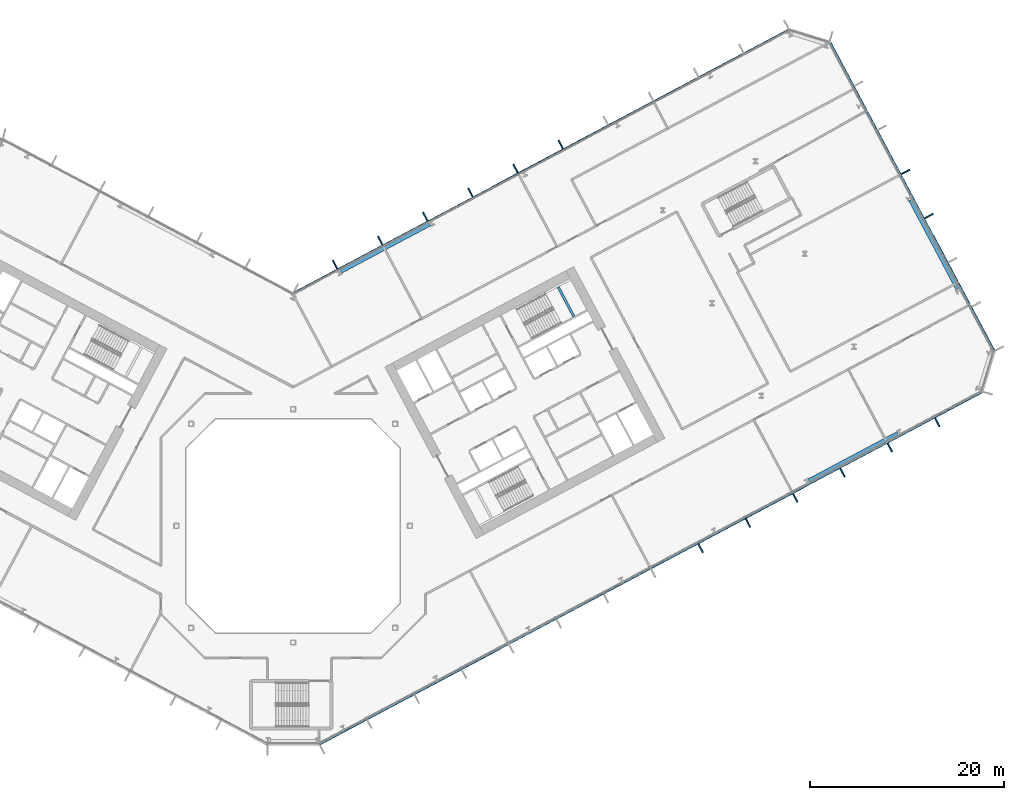
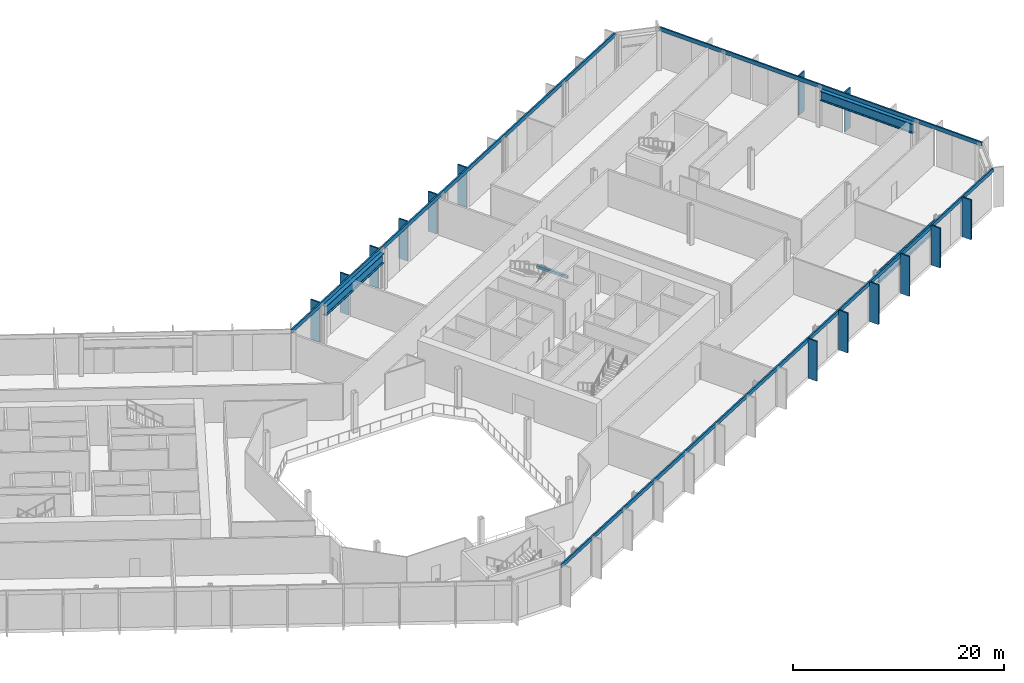
# One storey, part 8 of 31: 17 members, 4 beams, 3 elements without a shape of their own.
"""IFC4 building model written with IfcOpenShell, lengths in metres."""

from ifc_helpers import new_model, si_unit, direction, frame, origin, origin_2d, place, context, subcontext, project, spatial, rectangle, i_section, extrude, material, layer, layer_set, material_profile, profile_set, type_object, element, aggregate, save


model = new_model("IFC4")

# Units and contexts
model_context = context("Model", 3, precision=1e-05, world=origin(), true_north=direction((0.0, 1.0)))
body_context = subcontext(model_context, "Body", "Model", "MODEL_VIEW")
ifc_project = project(units=[si_unit("LENGTHUNIT", "METRE"), si_unit("AREAUNIT", "SQUARE_METRE"), si_unit("VOLUMEUNIT", "CUBIC_METRE"), si_unit("PLANEANGLEUNIT", "RADIAN"), si_unit("MASSUNIT", "GRAM", prefix="KILO")], contexts=[model_context])

# Site, building, storey
site_placement = place(None, origin())
site = spatial("IfcSite", under=ifc_project, at=site_placement, CompositionType="ELEMENT")
building_placement = place(site_placement, origin())
building = spatial("IfcBuilding", under=site, at=building_placement, Name="Cormorant Relay Tower", CompositionType="ELEMENT")
storey_placement = place(building_placement, frame((0.0, 0.0, 98.39990234375)))
storey = spatial("IfcBuildingStorey", under=building, at=storey_placement, Name="L19", CompositionType="ELEMENT", Elevation=98.39990234375)

# Curtain wall, members
ifc_material_1 = material(Name="Aluminium 6063-T6 anodised bronze", Category="aluminium")
ifc_layer = layer(ifc_material_1, 0.199951171875)
ifc_layer_set = layer_set([ifc_layer], Name="CW1 unitised bronze curtain wall with vertical fins")
curtain_wall_type = type_object("IfcCurtainWallType", Name="CW1 unitised bronze curtain wall with vertical fins", PredefinedType="NOTDEFINED", material=ifc_layer_set)
curtain_wall_1_placement = place(storey_placement, origin())
curtain_wall_1 = element("IfcCurtainWall", 1, at=curtain_wall_1_placement, inside=storey, type_object=curtain_wall_type, Name="CW1 curtain wall 2", PredefinedType="NOTDEFINED")
ifc_material_2 = material(Name="Aluminium 6063-T6 anodised bronze", Category="aluminium")
ifc_material_profile_1 = material_profile(ifc_material_2, rectangle(XDim=0.14990234375, YDim=1.0, at=origin_2d()), Name="AL 150x1000")
ifc_profile_set_1 = profile_set([ifc_material_profile_1], Name="Aluminium 6063-T6 anodised bronze")
member_type_1 = type_object("IfcMemberType", Name="CW1 bronze fin mullion 150 x 1000", PredefinedType="MULLION", material=ifc_profile_set_1)
member_1_placement = place(storey_placement, frame((41.910888671875, -2.29248046875, 0.0), z_axis=(0.0, 0.0, 1.0), x_axis=(0.882947592859, 0.469471562786, 0.0)))
member_1 = element("IfcMember", 2, at=member_1_placement, type_object=member_type_1, Name="CW1 fin 2.9", PredefinedType="MULLION", context=body_context, shape_type="SweptSolid", body=[
    extrude(rectangle(XDim=0.14990234375, YDim=1.0, at=origin_2d()), origin(), (0.0, 0.0, 1.0), 4.60009765625),
])
member_2_placement = place(storey_placement, frame((46.777587890625, 0.29541015625, 0.0), z_axis=(0.0, 0.0, 1.0), x_axis=(0.882947592859, 0.469471562786, 0.0)))
member_2 = element("IfcMember", 3, at=member_2_placement, type_object=member_type_1, Name="CW1 fin 2.10", PredefinedType="MULLION", context=body_context, shape_type="SweptSolid", body=[
    extrude(rectangle(XDim=0.14990234375, YDim=1.0, at=origin_2d()), origin(), (0.0, 0.0, 1.0), 4.60009765625),
])
member_3_placement = place(storey_placement, frame((51.644287109375, 2.8828125, 0.0), z_axis=(0.0, 0.0, 1.0), x_axis=(0.882947592859, 0.469471562786, 0.0)))
member_3 = element("IfcMember", 4, at=member_3_placement, type_object=member_type_1, Name="CW1 fin 2.11", PredefinedType="MULLION", context=body_context, shape_type="SweptSolid", body=[
    extrude(rectangle(XDim=0.14990234375, YDim=1.0, at=origin_2d()), origin(), (0.0, 0.0, 1.0), 4.60009765625),
])
member_4_placement = place(storey_placement, frame((56.510986328125, 5.470703125, 0.0), z_axis=(0.0, 0.0, 1.0), x_axis=(0.882947592859, 0.469471562786, 0.0)))
member_4 = element("IfcMember", 5, at=member_4_placement, type_object=member_type_1, Name="CW1 fin 2.12", PredefinedType="MULLION", context=body_context, shape_type="SweptSolid", body=[
    extrude(rectangle(XDim=0.14990234375, YDim=1.0, at=origin_2d()), origin(), (0.0, 0.0, 1.0), 4.60009765625),
])
member_5_placement = place(storey_placement, frame((61.377685546875, 8.058349609375, 0.0), z_axis=(0.0, 0.0, 1.0), x_axis=(0.882947592859, 0.469471562786, 0.0)))
member_5 = element("IfcMember", 6, at=member_5_placement, type_object=member_type_1, Name="CW1 fin 2.13", PredefinedType="MULLION", context=body_context, shape_type="SweptSolid", body=[
    extrude(rectangle(XDim=0.14990234375, YDim=1.0, at=origin_2d()), origin(), (0.0, 0.0, 1.0), 4.60009765625),
])
member_6_placement = place(storey_placement, frame((66.244140625, 10.64599609375, 0.0), z_axis=(0.0, 0.0, 1.0), x_axis=(0.882947592859, 0.469471562786, 0.0)))
member_6 = element("IfcMember", 7, at=member_6_placement, type_object=member_type_1, Name="CW1 fin 2.14", PredefinedType="MULLION", context=body_context, shape_type="SweptSolid", body=[
    extrude(rectangle(XDim=0.14990234375, YDim=1.0, at=origin_2d()), origin(), (0.0, 0.0, 1.0), 4.60009765625),
])

curtain_wall_2_placement = place(storey_placement, origin())
curtain_wall_2 = element("IfcCurtainWall", 8, at=curtain_wall_2_placement, inside=storey, type_object=curtain_wall_type, Name="CW1 curtain wall 4", PredefinedType="NOTDEFINED")
member_7_placement = place(storey_placement, frame((65.3974609375, 31.860107421875, 0.0), z_axis=(0.0, 0.0, 1.0), x_axis=(-0.469471562786, 0.882947592859, 0.0)))
member_7 = element("IfcMember", 9, at=member_7_placement, type_object=member_type_1, Name="CW1 fin 4.4", PredefinedType="MULLION", context=body_context, shape_type="SweptSolid", body=[
    extrude(rectangle(XDim=0.14990234375, YDim=1.0, at=origin_2d()), origin(), (0.0, 0.0, 1.0), 4.60009765625),
])
member_8_placement = place(storey_placement, frame((62.983154296875, 36.40087890625, 0.0), z_axis=(0.0, 0.0, 1.0), x_axis=(-0.469471562786, 0.882947592859, 0.0)))
member_8 = element("IfcMember", 10, at=member_8_placement, type_object=member_type_1, Name="CW1 fin 4.5", PredefinedType="MULLION", context=body_context, shape_type="SweptSolid", body=[
    extrude(rectangle(XDim=0.14990234375, YDim=1.0, at=origin_2d()), origin(), (0.0, 0.0, 1.0), 4.60009765625),
])

curtain_wall_3_placement = place(storey_placement, origin())
curtain_wall_3 = element("IfcCurtainWall", 11, at=curtain_wall_3_placement, inside=storey, type_object=curtain_wall_type, Name="CW1 curtain wall 6", PredefinedType="NOTDEFINED")
member_9_placement = place(storey_placement, frame((27.524658203125, 39.2119140625, 0.0), z_axis=(0.0, 0.0, 1.0), x_axis=(-0.882947592859, -0.469471562786, 0.0)))
member_9 = element("IfcMember", 12, at=member_9_placement, type_object=member_type_1, Name="CW1 fin 6.6", PredefinedType="MULLION", context=body_context, shape_type="SweptSolid", body=[
    extrude(rectangle(XDim=0.14990234375, YDim=1.0, at=origin_2d()), origin(), (0.0, 0.0, 1.0), 4.60009765625),
])
member_10_placement = place(storey_placement, frame((22.882568359375, 36.74365234375, 0.0), z_axis=(0.0, 0.0, 1.0), x_axis=(-0.882947592859, -0.469471562786, 0.0)))
member_10 = element("IfcMember", 13, at=member_10_placement, type_object=member_type_1, Name="CW1 fin 6.7", PredefinedType="MULLION", context=body_context, shape_type="SweptSolid", body=[
    extrude(rectangle(XDim=0.14990234375, YDim=1.0, at=origin_2d()), origin(), (0.0, 0.0, 1.0), 4.60009765625),
])
member_11_placement = place(storey_placement, frame((18.240234375, 34.275390625, 0.0), z_axis=(0.0, 0.0, 1.0), x_axis=(-0.882947592859, -0.469471562786, 0.0)))
member_11 = element("IfcMember", 14, at=member_11_placement, type_object=member_type_1, Name="CW1 fin 6.8", PredefinedType="MULLION", context=body_context, shape_type="SweptSolid", body=[
    extrude(rectangle(XDim=0.14990234375, YDim=1.0, at=origin_2d()), origin(), (0.0, 0.0, 1.0), 4.60009765625),
])
member_12_placement = place(storey_placement, frame((13.597900390625, 31.806884765625, 0.0), z_axis=(0.0, 0.0, 1.0), x_axis=(-0.882947592859, -0.469471562786, 0.0)))
member_12 = element("IfcMember", 15, at=member_12_placement, type_object=member_type_1, Name="CW1 fin 6.9", PredefinedType="MULLION", context=body_context, shape_type="SweptSolid", body=[
    extrude(rectangle(XDim=0.14990234375, YDim=1.0, at=origin_2d()), origin(), (0.0, 0.0, 1.0), 4.60009765625),
])
member_13_placement = place(storey_placement, frame((8.955810546875, 29.338623046875, 0.0), z_axis=(0.0, 0.0, 1.0), x_axis=(-0.882947592859, -0.469471562786, 0.0)))
member_13 = element("IfcMember", 16, at=member_13_placement, type_object=member_type_1, Name="CW1 fin 6.10", PredefinedType="MULLION", context=body_context, shape_type="SweptSolid", body=[
    extrude(rectangle(XDim=0.14990234375, YDim=1.0, at=origin_2d()), origin(), (0.0, 0.0, 1.0), 4.60009765625),
])
member_14_placement = place(storey_placement, frame((4.313720703125, 26.870361328125, 0.0), z_axis=(0.0, 0.0, 1.0), x_axis=(-0.882947592859, -0.469471562786, 0.0)))
member_14 = element("IfcMember", 17, at=member_14_placement, type_object=member_type_1, Name="CW1 fin 6.11", PredefinedType="MULLION", context=body_context, shape_type="SweptSolid", body=[
    extrude(rectangle(XDim=0.14990234375, YDim=1.0, at=origin_2d()), origin(), (0.0, 0.0, 1.0), 4.60009765625),
])

# Member
ifc_material_3 = material(Name="Aluminium 6063-T6 anodised bronze", Category="aluminium")
ifc_material_profile_2 = material_profile(ifc_material_3, rectangle(XDim=0.159912109375, YDim=0.449951171875, at=origin_2d()), Name="AL 160x450")
ifc_profile_set_2 = profile_set([ifc_material_profile_2], Name="Aluminium 6063-T6 anodised bronze")
member_type_2 = type_object("IfcMemberType", Name="CW1 bronze transom 160 x 450", PredefinedType="USERDEFINED", material=ifc_profile_set_2)
member_15_placement = place(storey_placement, frame((2.705078125, -22.4814453125, 4.375), z_axis=(0.882948654677, 0.46946956579, 0.0), x_axis=(-0.46946956579, 0.882948654677, 0.0)))
member_15 = element("IfcMember", 18, at=member_15_placement, type_object=member_type_2, Name="CW1 transom 2", ObjectType="TRANSOM", PredefinedType="USERDEFINED", context=body_context, shape_type="SweptSolid", body=[
    extrude(rectangle(XDim=0.159912109375, YDim=0.449951171875, at=origin_2d()), origin(), (0.0, 0.0, 1.0), 77.166015625),
])

aggregate(curtain_wall_1, [member_1, member_2, member_3, member_4, member_5, member_6, member_15])

member_16_placement = place(storey_placement, frame((72.128662109375, 17.965087890625, 4.375), z_axis=(-0.469469230355, 0.88294883303, 0.0), x_axis=(-0.88294883303, -0.469469230355, 0.0)))
member_16 = element("IfcMember", 19, at=member_16_placement, type_object=member_type_2, Name="CW1 transom 4", ObjectType="TRANSOM", PredefinedType="USERDEFINED", context=body_context, shape_type="SweptSolid", body=[
    extrude(rectangle(XDim=0.159912109375, YDim=0.449951171875, at=origin_2d()), origin(), (0.0, 0.0, 1.0), 36.0),
])

aggregate(curtain_wall_2, [member_7, member_8, member_16])

member_17_placement = place(storey_placement, frame((51.008056640625, 51.04150390625, 4.375), z_axis=(-0.882946446228, -0.469473719279, 0.0), x_axis=(0.469473719279, -0.882946446228, 0.0)))
member_17 = element("IfcMember", 20, at=member_17_placement, type_object=member_type_2, Name="CW1 transom 6", ObjectType="TRANSOM", PredefinedType="USERDEFINED", context=body_context, shape_type="SweptSolid", body=[
    extrude(rectangle(XDim=0.159912109375, YDim=0.449951171875, at=origin_2d()), origin(), (0.0, 0.0, 1.0), 57.834228515625),
])

aggregate(curtain_wall_3, [member_9, member_10, member_11, member_12, member_13, member_14, member_17])

# Beams
ifc_material_4 = material(Name="Steel ASTM A992 (Fy 345 MPa)", Category="steel")
ifc_material_profile_3 = material_profile(ifc_material_4, i_section(OverallWidth=0.40380859375, OverallDepth=1.11767578125, WebThickness=0.026123046875, FlangeThickness=0.044921875, FilletRadius=0.02001953125, at=origin_2d()), Name="W1100x499")
ifc_profile_set_3 = profile_set([ifc_material_profile_3], Name="Steel ASTM A992 (Fy 345 MPa)")
beam_type_1 = type_object("IfcBeamType", Name="Spandrel W1100x499", PredefinedType="SPANDREL", material=ifc_profile_set_3)
for number, where, z_axis, x_axis, name in (
    (21, (53.0390625, 4.64599609375, 3.641357421875), (0.882937138632, 0.469491223799, 0.0), (-0.469491223799, 0.882937138632, 0.0), "Spandrel beam L19-002"),
    (22, (68.364990234375, 24.358154296875, 3.641357421875), (-0.469491223799, 0.882937138632, 0.0), (-0.882937138632, -0.469491223799, 0.0), "Spandrel beam L19-004"),
    (23, (14.06494140625, 31.03369140625, 3.641357421875), (-0.882946891921, -0.469472881056, 0.0), (0.469472881056, -0.882946891921, 0.0), "Spandrel beam L19-006"),
):
    element("IfcBeam", number, at=place(storey_placement, frame(where, z_axis=z_axis, x_axis=x_axis)), inside=storey, type_object=beam_type_1, Name=name, PredefinedType="SPANDREL", context=body_context, shape_type="SweptSolid", body=[
        extrude(i_section(OverallWidth=0.40380859375, OverallDepth=1.11767578125, WebThickness=0.026123046875, FlangeThickness=0.044921875, FilletRadius=0.02001953125, at=origin_2d()), origin(), (0.0, 0.0, 1.0), 10.376220703125),
    ])
ifc_material_5 = material(Name="Concrete 50 MPa", Category="concrete")
ifc_material_profile_4 = material_profile(ifc_material_5, rectangle(XDim=0.25, YDim=0.300048828125, at=origin_2d()), Name="RC 250x300")
ifc_profile_set_4 = profile_set([ifc_material_profile_4], Name="Concrete 50 MPa")
beam_type_2 = type_object("IfcBeamType", Name="Stair landing ledge beam 250x300", PredefinedType="BEAM", material=ifc_profile_set_4)
beam_placement = place(storey_placement, frame((28.878662109375, 21.527587890625, 1.9501953125), z_axis=(-0.469463917486, 0.882951657895, 0.0), x_axis=(-0.882951657895, -0.469463917486, 0.0)))
element("IfcBeam", 24, at=beam_placement, inside=storey, type_object=beam_type_2, Name="B2 landing ledge beam", PredefinedType="BEAM", context=body_context, shape_type="SweptSolid", body=[
    extrude(rectangle(XDim=0.25, YDim=0.300048828125, at=origin_2d()), origin(), (0.0, 0.0, 1.0), 3.449951171875),
])

save(model, "model.ifc")
